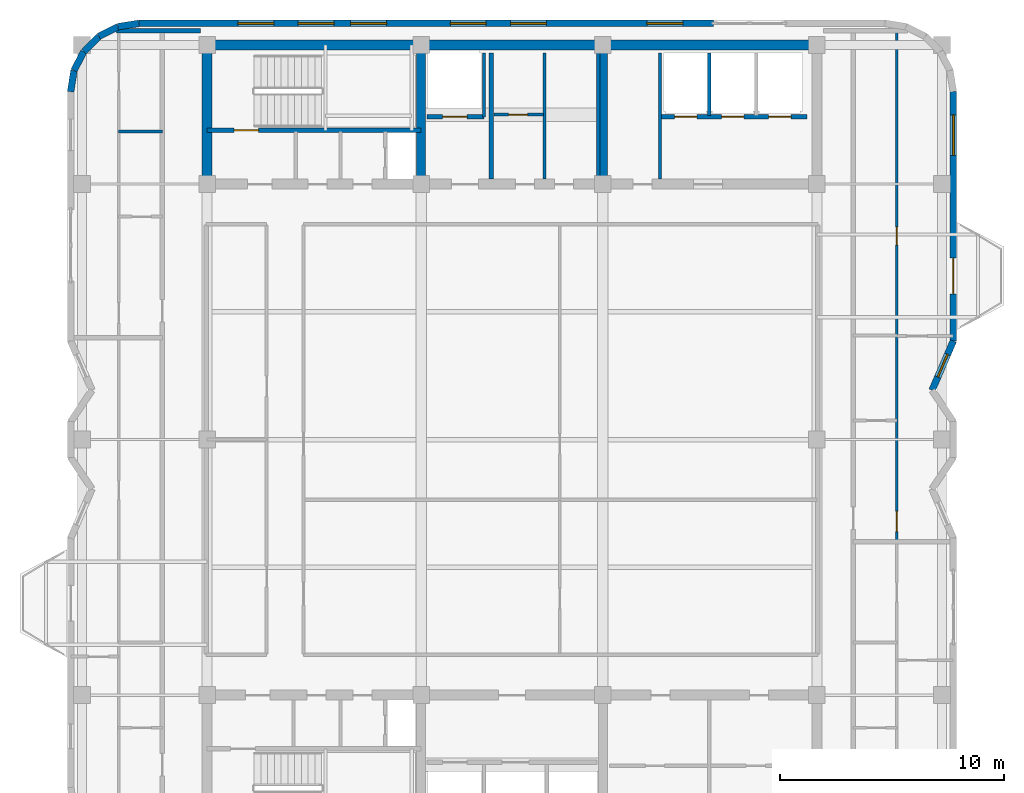
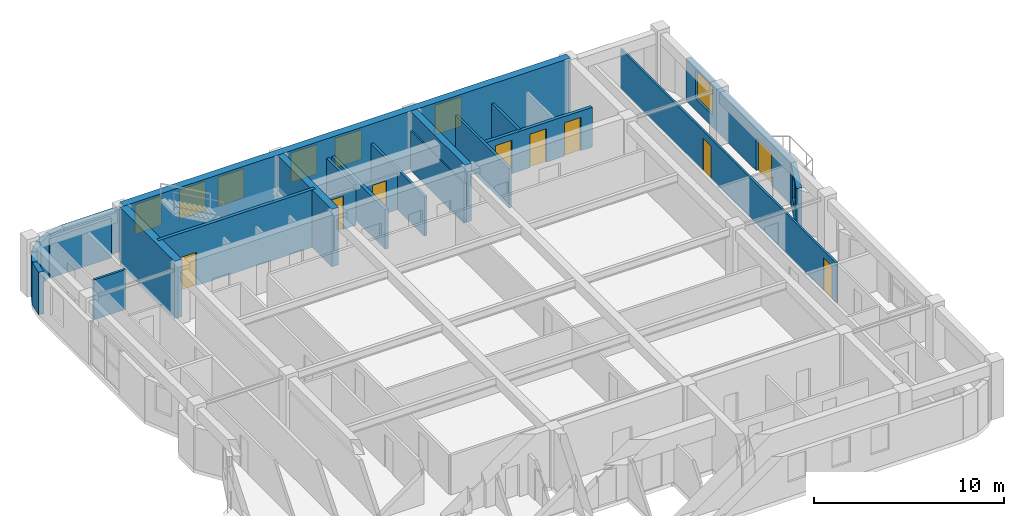
# One storey, part 8 of 11: 25 walls, 9 doors, 8 windows, 17 openings.
"""IFC4 building model written with IfcOpenShell, lengths in metres."""

import ifcopenshell
import ifcopenshell.guid

model = None  # the IFC model being written
_history = None  # IfcOwnerHistory: only IFC2X3 demands one
_inside = {}  # id of a spatial element -> (the spatial element, [elements in it])
_under = {}  # id of a project, library or spatial element -> (it, [spatial elements below it])
_declared = {}  # id of a project -> (the project, [libraries it declares])
_typed = {}  # id of a type object -> (the type object, [elements of that type])
_made_of = {}  # id of a material, layer set ... -> (it, [elements and type objects made of it])


def new_model(schema):
    """Start an empty IFC model of exactly this schema.

    Asked for "IFC4X3", IfcOpenShell would pick the latest addendum, in which some entities
    have other attributes; the version numbers below select the first issue.
    IFC2X3 requires an IfcOwnerHistory on every rooted entity: one is made here for all.
    """
    global model, _history
    if schema == "IFC4X3":
        model = ifcopenshell.file(schema_version=(4, 3, 0, 0))
    else:
        model = ifcopenshell.file(schema=schema)
    _inside.clear()
    _under.clear()
    _declared.clear()
    _typed.clear()
    _made_of.clear()
    _history = None
    if model.schema == "IFC2X3":
        org = make("IfcOrganization", Name="unknown")
        user = make(
            "IfcPersonAndOrganization",
            ThePerson=make("IfcPerson", FamilyName="unknown"),
            TheOrganization=org,
        )
        app = make(
            "IfcApplication",
            ApplicationDeveloper=org,
            Version="unknown",
            ApplicationFullName="unknown",
            ApplicationIdentifier="unknown",
        )
        _history = make(
            "IfcOwnerHistory",
            OwningUser=user,
            OwningApplication=app,
            ChangeAction="ADDED",
            CreationDate=0,
        )
    return model


def make(cls, **values):
    """One entity of the class cls with the attributes given. An attribute that is None is left unset."""
    return model.create_entity(
        cls, **{name: value for name, value in values.items() if value is not None}
    )


def rooted(cls, **values):
    """An entity with a GlobalId (a new one), such as an element, a storey or a relation."""
    return make(cls, GlobalId=ifcopenshell.guid.new(), OwnerHistory=_history, **values)


def si_unit(unit_type, name, prefix=None):
    """IfcSIUnit, for example si_unit("LENGTHUNIT", "METRE", prefix="MILLI")."""
    return make("IfcSIUnit", UnitType=unit_type, Prefix=prefix, Name=name)


def assignment(units):
    """IfcUnitAssignment: the units of a project."""
    return None if units is None else make("IfcUnitAssignment", Units=units)


def point(xyz):
    """IfcCartesianPoint."""
    return None if xyz is None else make("IfcCartesianPoint", Coordinates=xyz)


def direction(xyz):
    """IfcDirection."""
    return None if xyz is None else make("IfcDirection", DirectionRatios=xyz)


def frame(location, z_axis=None, x_axis=None):
    """IfcAxis2Placement3D, a coordinate frame: its origin and axes. An axis left out is left unset."""
    return make(
        "IfcAxis2Placement3D",
        Location=point(location),
        Axis=direction(z_axis),
        RefDirection=direction(x_axis),
    )


def frame_2d(location, x_axis=None):
    """IfcAxis2Placement2D, a coordinate frame in the plane: its origin and x axis."""
    return make(
        "IfcAxis2Placement2D", Location=point(location), RefDirection=direction(x_axis)
    )


def origin():
    """The frame at (0, 0, 0) with its axes left unset."""
    return frame((0.0, 0.0, 0.0))


def place(relative_to, where):
    """IfcLocalPlacement: puts the frame where relative to a parent placement (None: the world)."""
    return make(
        "IfcLocalPlacement", PlacementRelTo=relative_to, RelativePlacement=where
    )


def context(
    kind, dimensions, precision=None, world=None, true_north=None, identifier=None
):
    """IfcGeometricRepresentationContext, for example the 3D "Model" context."""
    return make(
        "IfcGeometricRepresentationContext",
        ContextIdentifier=identifier,
        ContextType=kind,
        CoordinateSpaceDimension=dimensions,
        Precision=precision,
        WorldCoordinateSystem=world,
        TrueNorth=true_north,
    )


def subcontext(parent, identifier, kind, view, scale=None):
    """IfcGeometricRepresentationSubContext, for example "Body" below "Model"."""
    return make(
        "IfcGeometricRepresentationSubContext",
        ContextIdentifier=identifier,
        ContextType=kind,
        ParentContext=parent,
        TargetScale=scale,
        TargetView=view,
    )


def project(units=None, contexts=None):
    """IfcProject with its units and contexts."""
    return rooted(
        "IfcProject",
        Name="project",
        RepresentationContexts=contexts,
        UnitsInContext=assignment(units),
    )


def spatial(cls, under=None, at=None, **own):
    """A site, building, storey or space (cls), placed at a placement, below another one or the project."""
    s = rooted(cls, ObjectPlacement=at, **own)
    if under is not None:
        _under.setdefault(under.id(), (under, []))[1].append(s)
    return s


def profile(cls, at=None, kind="AREA", **sizes):
    """A parametric profile (cls). Its sizes go by their IFC names, for example OverallWidth=200.0."""
    return make(cls, ProfileType=kind, Position=at, **sizes)


def rectangle(**sizes):
    """IfcRectangleProfileDef."""
    return profile("IfcRectangleProfileDef", **sizes)


def extrude(swept, where, along, depth):
    """IfcExtrudedAreaSolid: the profile swept, set in the frame where, extruded along a direction by depth."""
    return make(
        "IfcExtrudedAreaSolid",
        SweptArea=swept,
        Position=where,
        ExtrudedDirection=direction(along),
        Depth=depth,
    )


def shape(context_of_items, identifier, shape_type, items):
    """IfcShapeRepresentation: the items that make up one representation, for example the "Body"."""
    return make(
        "IfcShapeRepresentation",
        ContextOfItems=context_of_items,
        RepresentationIdentifier=identifier,
        RepresentationType=shape_type,
        Items=items,
    )


def material(Name=None, Category=None):
    """IfcMaterial."""
    return make("IfcMaterial", Name=Name, Category=Category)


def layer(
    of_material, thickness, ventilated=None, Name=None, Category=None, Priority=None
):
    """IfcMaterialLayer: one layer of a wall or slab, of a material (None: an air gap)."""
    return make(
        "IfcMaterialLayer",
        Material=of_material,
        LayerThickness=thickness,
        IsVentilated=ventilated,
        Name=Name,
        Category=Category,
        Priority=Priority,
    )


def layer_set(layers, Name=None):
    """IfcMaterialLayerSet."""
    return make("IfcMaterialLayerSet", MaterialLayers=layers, LayerSetName=Name)


def made_of(thing, what):
    """Note that an element or type object is made of a material, layer set ...; save() writes the relation."""
    if what is not None:
        _made_of.setdefault(what.id(), (what, []))[1].append(thing)
    return thing


def type_object(cls, material=None, **own):
    """A type object (cls), such as IfcWallType, which elements share."""
    return made_of(rooted(cls, **own), material)


def element(
    cls,
    number,
    at=None,
    inside=None,
    cuts=None,
    type_object=None,
    material=None,
    context=None,
    identifier="Body",
    shape_type=None,
    held_by="IfcProductDefinitionShape",
    body=None,
    shapes=None,
    **own,
):
    """One element of the class cls, such as IfcWall. Its Tag is "e" and its number.

    at: its placement. inside: the storey or other place that contains it. cuts: it is an
    opening in that element (IfcRelVoidsElement). A single representation is given by context,
    identifier, shape_type and body (its items); several are given by shapes. held_by: the class
    of the entity that holds the representations. save() writes the other relations.
    """
    e = rooted(cls, Tag="e%d" % number, ObjectPlacement=at, **own)
    if body is not None:
        shapes = [shape(context, identifier, shape_type, body)]
    if shapes is not None:
        e.Representation = make(held_by, Representations=shapes)
    if inside is not None:
        _inside.setdefault(inside.id(), (inside, []))[1].append(e)
    if cuts is not None:
        rooted(
            "IfcRelVoidsElement", RelatingBuildingElement=cuts, RelatedOpeningElement=e
        )
    if type_object is not None:
        _typed.setdefault(type_object.id(), (type_object, []))[1].append(e)
    return made_of(e, material)


def fill(opening, filler):
    """IfcRelFillsElement: the door or window that sits in an opening."""
    return rooted(
        "IfcRelFillsElement",
        RelatingOpeningElement=opening,
        RelatedBuildingElement=filler,
    )


def aggregate(whole, parts):
    """IfcRelAggregates: a whole, such as a stair, and the parts it consists of."""
    return rooted("IfcRelAggregates", RelatingObject=whole, RelatedObjects=parts)


def save(model, path):
    """Write the relations noted so far, then the file.

    IfcRelAggregates (storeys below a building ...), IfcRelContainedInSpatialStructure (elements
    in a storey), IfcRelDefinesByType, IfcRelAssociatesMaterial and IfcRelDeclares: one each for
    every whole, place, type object, material and project.
    """
    for whole, parts in _under.values():
        aggregate(whole, parts)
    for where, things in _inside.values():
        rooted(
            "IfcRelContainedInSpatialStructure",
            RelatedElements=things,
            RelatingStructure=where,
        )
    for kind, things in _typed.values():
        rooted("IfcRelDefinesByType", RelatedObjects=things, RelatingType=kind)
    for what, things in _made_of.values():
        rooted("IfcRelAssociatesMaterial", RelatedObjects=things, RelatingMaterial=what)
    for by, libraries in _declared.values():
        rooted("IfcRelDeclares", RelatingContext=by, RelatedDefinitions=libraries)
    model.write(path)


model = new_model("IFC4")

# Units and contexts
model_context = context("Model", 3, precision=1e-05, world=origin(), true_north=direction((0.0, 1.0)))
body_context = subcontext(model_context, "Body", "Model", "MODEL_VIEW")
ifc_project = project(units=[si_unit("LENGTHUNIT", "METRE"), si_unit("AREAUNIT", "SQUARE_METRE"), si_unit("VOLUMEUNIT", "CUBIC_METRE"), si_unit("PLANEANGLEUNIT", "RADIAN"), si_unit("MASSUNIT", "GRAM", prefix="KILO")], contexts=[model_context])

# Site, building, storey
site_placement = place(None, origin())
site = spatial("IfcSite", under=ifc_project, at=site_placement, CompositionType="ELEMENT")
building_placement = place(site_placement, origin())
building = spatial("IfcBuilding", under=site, at=building_placement, Name="Svetorya Sky Lyceum", CompositionType="ELEMENT")
storey_placement = place(building_placement, frame((0.0, 0.0, 289.800048828125)))
storey = spatial("IfcBuildingStorey", under=building, at=storey_placement, Name="L73", CompositionType="ELEMENT", Elevation=289.800048828125)

# Walls
ifc_material_1 = material(Name="Concrete C40/50", Category="concrete")
ifc_layer_1 = layer(ifc_material_1, 0.39990234375)
ifc_layer_set_1 = layer_set([ifc_layer_1], Name="Concrete C40/50")
wall_type_1 = type_object("IfcWallType", Name="WL-CORE-400", PredefinedType="SHEAR", material=ifc_layer_set_1)
for number, where, z_axis, x_axis, name in (
    (1, (35.14990234375, 39.824951171875, 0.0), (0.0, 0.0, 1.0), (0.0, 1.0, 0.0), "L73 NC Internal Shear Web WEB1"),
    (2, (43.25, 39.824951171875, 0.0), (0.0, 0.0, 1.0), (0.0, 1.0, 0.0), "L73 NC Internal Shear Web WEB2"),
):
    element("IfcWall", number, at=place(storey_placement, frame(where, z_axis=z_axis, x_axis=x_axis)), inside=storey, type_object=wall_type_1, Name=name, PredefinedType="SHEAR", context=body_context, shape_type="SweptSolid", body=[
        extrude(rectangle(XDim=5.75, YDim=0.39990234375, at=frame_2d((2.875, 0.0))), origin(), (0.0, 0.0, 1.0), 3.699951171875),
    ])
ifc_material_2 = material(Name="Concrete C50/60", Category="concrete")
ifc_layer_2 = layer(ifc_material_2, 0.449951171875)
ifc_layer_set_2 = layer_set([ifc_layer_2], Name="Concrete C50/60")
wall_type_2 = type_object("IfcWallType", Name="WL-CORE-450", PredefinedType="SHEAR", material=ifc_layer_set_2)
wall_1_placement = place(storey_placement, frame((25.60009765625, 45.800048828125, 0.0), z_axis=(0.0, 0.0, 1.0), x_axis=(1.0, 0.0, 0.0)))
element("IfcWall", 3, at=wall_1_placement, inside=storey, type_object=wall_type_2, Name="L73 NC Outer Core Shear Wall", PredefinedType="SHEAR", context=body_context, shape_type="SweptSolid", body=[
    extrude(rectangle(XDim=27.199951171875, YDim=0.449951171875, at=frame_2d((13.60009765625, 0.0))), origin(), (0.0, 0.0, 1.0), 3.699951171875),
])
wall_2_placement = place(storey_placement, frame((25.60009765625, 39.824951171875, 0.0), z_axis=(0.0, 0.0, 1.0), x_axis=(0.0, 1.0, 0.0)))
element("IfcWall", 4, at=wall_2_placement, inside=storey, type_object=wall_type_2, Name="L73 NC West Core Shear Wall", PredefinedType="SHEAR", context=body_context, shape_type="SweptSolid", body=[
    extrude(rectangle(XDim=5.75, YDim=0.449951171875, at=frame_2d((2.875, 0.0))), origin(), (0.0, 0.0, 1.0), 3.699951171875),
])

# Wall, opening, window
ifc_material_3 = material(Name="Putilovo limestone rainscreen on autoclaved cellular masonry", Category="masonry")
ifc_layer_3 = layer(ifc_material_3, 0.300048828125)
ifc_layer_set_3 = layer_set([ifc_layer_3], Name="Putilovo limestone rainscreen on autoclaved cellular masonry")
wall_type_3 = type_object("IfcWallType", Name="WL-EXT-300", PredefinedType="SOLIDWALL", material=ifc_layer_set_3)
wall_3_placement = place(storey_placement, frame((57.93994140625, 30.39990234375, 0.0), z_axis=(0.0, 0.0, 1.0), x_axis=(0.396389181543, 0.918082576218, 0.0)))
wall_3 = element("IfcWall", 5, at=wall_3_placement, inside=storey, type_object=wall_type_3, Name="L73 Limestone Exterior Wall 17M", PredefinedType="SOLIDWALL", context=body_context, shape_type="SweptSolid", body=[
    extrude(rectangle(XDim=2.396484375, YDim=0.300048828125, at=frame_2d((1.1982421875, 0.0))), origin(), (0.0, 0.0, 1.0), 2.72998046875),
])
opening_1_placement = place(wall_3_placement, frame((0.648193359375, 0.0, 0.919921875)))
opening_1 = element("IfcOpeningElement", 6, at=opening_1_placement, cuts=wall_3, Name="Opening W-R3", PredefinedType="OPENING", context=body_context, shape_type="SweptSolid", body=[
    extrude(rectangle(XDim=1.10009765625, YDim=1.64990234375, at=frame_2d((0.550048828125, 0.824951171875))), frame((0.0, 0.159912109375, 0.0), z_axis=(0.0, -1.0, 0.0), x_axis=(1.0, 0.0, 0.0)), (0.0, 0.0, 1.0), 0.320068359375),
])
ifc_material_4 = material(Name="Thermally broken aluminium frame with triple low-E glazing", Category="aluminium")
window_type_1 = type_object("IfcWindowType", Name="WN-RES-110", PartitioningType="SINGLE_PANEL", PredefinedType="WINDOW", material=ifc_material_4)
window_1_placement = place(opening_1_placement, origin())
window_1 = element("IfcWindow", 7, at=window_1_placement, inside=storey, type_object=window_type_1, Name="L73 Facade Window W-R3.17M.1", OverallHeight=1.64990234375, OverallWidth=1.10009765625, PartitioningType="SINGLE_PANEL", PredefinedType="WINDOW", context=body_context, shape_type="SweptSolid", body=[
    extrude(rectangle(XDim=1.10009765625, YDim=1.64990234375, at=frame_2d((0.550048828125, 0.824951171875))), frame((0.0, 0.030029296875, 0.0), z_axis=(0.0, -1.0, 0.0), x_axis=(1.0, 0.0, 0.0)), (0.0, 0.0, 1.0), 0.06005859375),
])
fill(opening_1, window_1)

# Wall, openings, door, window
wall_4_placement = place(storey_placement, frame((58.889892578125, 32.60009765625, 0.0), z_axis=(0.0, 0.0, 1.0), x_axis=(0.0, 1.0, 0.0)))
wall_4 = element("IfcWall", 8, at=wall_4_placement, inside=storey, type_object=wall_type_3, Name="L73 Limestone Exterior Wall 18M", PredefinedType="SOLIDWALL", context=body_context, shape_type="SweptSolid", body=[
    extrude(rectangle(XDim=11.119873046875, YDim=0.300048828125, at=frame_2d((5.56005859375, 0.0))), origin(), (0.0, 0.0, 1.0), 2.72998046875),
])
opening_2_placement = place(wall_4_placement, frame((2.10009765625, 0.0, 0.0)))
opening_2 = element("IfcOpeningElement", 9, at=opening_2_placement, cuts=wall_4, Name="Opening D-BL1", PredefinedType="OPENING", context=body_context, shape_type="SweptSolid", body=[
    extrude(rectangle(XDim=1.60009765625, YDim=2.10009765625, at=frame_2d((0.800048828125, 1.050048828125))), frame((0.0, 0.159912109375, 0.0), z_axis=(0.0, -1.0, 0.0), x_axis=(1.0, 0.0, 0.0)), (0.0, 0.0, 1.0), 0.320068359375),
])
opening_3_placement = place(wall_4_placement, frame((8.283203125, 0.0, 0.760009765625)))
opening_3 = element("IfcOpeningElement", 10, at=opening_3_placement, cuts=wall_4, Name="Opening W-R1", PredefinedType="OPENING", context=body_context, shape_type="SweptSolid", body=[
    extrude(rectangle(XDim=1.800048828125, YDim=1.85009765625, at=frame_2d((0.89990234375, 0.925048828125))), frame((0.0, 0.159912109375, 0.0), z_axis=(0.0, -1.0, 0.0), x_axis=(1.0, 0.0, 0.0)), (0.0, 0.0, 1.0), 0.320068359375),
])
ifc_material_5 = material(Name="Insulated glazed aluminium balcony door", Category="aluminium")
door_type_1 = type_object("IfcDoorType", Name="DR-BAL-1600", OperationType="DOUBLE_DOOR_SINGLE_SWING", PredefinedType="DOOR", material=ifc_material_5)
door_1_placement = place(opening_2_placement, origin())
door_1 = element("IfcDoor", 11, at=door_1_placement, inside=storey, type_object=door_type_1, Name="L73 Balcony BAL-E1 Door", OperationType="DOUBLE_DOOR_SINGLE_SWING", OverallHeight=2.10009765625, OverallWidth=1.60009765625, PredefinedType="DOOR", context=body_context, shape_type="SweptSolid", body=[
    extrude(rectangle(XDim=1.60009765625, YDim=2.10009765625, at=frame_2d((0.800048828125, 1.050048828125))), frame((0.0, 0.02490234375, 0.0), z_axis=(0.0, -1.0, 0.0), x_axis=(1.0, 0.0, 0.0)), (0.0, 0.0, 1.0), 0.050048828125),
])
fill(opening_2, door_1)
window_type_2 = type_object("IfcWindowType", Name="WN-RES-180", PartitioningType="DOUBLE_PANEL_VERTICAL", PredefinedType="WINDOW", material=ifc_material_4)
window_2_placement = place(opening_3_placement, origin())
window_2 = element("IfcWindow", 12, at=window_2_placement, inside=storey, type_object=window_type_2, Name="L73 Facade Window W-R1.18M.1", OverallHeight=1.85009765625, OverallWidth=1.800048828125, PartitioningType="SINGLE_PANEL", PredefinedType="WINDOW", context=body_context, shape_type="SweptSolid", body=[
    extrude(rectangle(XDim=1.800048828125, YDim=1.85009765625, at=frame_2d((0.89990234375, 0.925048828125))), frame((0.0, 0.030029296875, 0.0), z_axis=(0.0, -1.0, 0.0), x_axis=(1.0, 0.0, 0.0)), (0.0, 0.0, 1.0), 0.06005859375),
])
fill(opening_3, window_2)

# Wall, openings, windows
wall_5_placement = place(storey_placement, frame((48.18994140625, 46.77001953125, 0.0), z_axis=(0.0, 0.0, 1.0), x_axis=(-1.0, 0.0, 0.0)))
wall_5 = element("IfcWall", 13, at=wall_5_placement, inside=storey, type_object=wall_type_3, Name="L73 Limestone Exterior Wall 24B", PredefinedType="SOLIDWALL", context=body_context, shape_type="SweptSolid", body=[
    extrude(rectangle(XDim=25.6298828125, YDim=0.300048828125, at=frame_2d((12.81494140625, 0.0))), origin(), (0.0, 0.0, 1.0), 2.72998046875),
])
opening_4_placement = place(wall_5_placement, frame((1.37060546875, 0.0, 0.7099609375)))
opening_4 = element("IfcOpeningElement", 14, at=opening_4_placement, cuts=wall_5, Name="Opening W-R4", PredefinedType="OPENING", context=body_context, shape_type="SweptSolid", body=[
    extrude(rectangle(XDim=1.60009765625, YDim=1.89990234375, at=frame_2d((0.800048828125, 0.949951171875))), frame((0.0, 0.159912109375, 0.0), z_axis=(0.0, -1.0, 0.0), x_axis=(1.0, 0.0, 0.0)), (0.0, 0.0, 1.0), 0.320068359375),
])
opening_5_placement = place(wall_5_placement, frame((7.453125, 0.0, 0.7099609375)))
opening_5 = element("IfcOpeningElement", 15, at=opening_5_placement, cuts=wall_5, Name="Opening W-R4", PredefinedType="OPENING", context=body_context, shape_type="SweptSolid", body=[
    extrude(rectangle(XDim=1.60009765625, YDim=1.89990234375, at=frame_2d((0.800048828125, 0.949951171875))), frame((0.0, 0.159912109375, 0.0), z_axis=(0.0, -1.0, 0.0), x_axis=(1.0, 0.0, 0.0)), (0.0, 0.0, 1.0), 0.320068359375),
])
opening_6_placement = place(wall_5_placement, frame((10.144287109375, 0.0, 0.7099609375)))
opening_6 = element("IfcOpeningElement", 16, at=opening_6_placement, cuts=wall_5, Name="Opening W-R4", PredefinedType="OPENING", context=body_context, shape_type="SweptSolid", body=[
    extrude(rectangle(XDim=1.60009765625, YDim=1.89990234375, at=frame_2d((0.800048828125, 0.949951171875))), frame((0.0, 0.159912109375, 0.0), z_axis=(0.0, -1.0, 0.0), x_axis=(1.0, 0.0, 0.0)), (0.0, 0.0, 1.0), 0.320068359375),
])
opening_7_placement = place(wall_5_placement, frame((14.585693359375, 0.0, 0.7099609375)))
opening_7 = element("IfcOpeningElement", 17, at=opening_7_placement, cuts=wall_5, Name="Opening W-R4", PredefinedType="OPENING", context=body_context, shape_type="SweptSolid", body=[
    extrude(rectangle(XDim=1.60009765625, YDim=1.89990234375, at=frame_2d((0.800048828125, 0.949951171875))), frame((0.0, 0.159912109375, 0.0), z_axis=(0.0, -1.0, 0.0), x_axis=(1.0, 0.0, 0.0)), (0.0, 0.0, 1.0), 0.320068359375),
])
opening_8_placement = place(wall_5_placement, frame((16.927001953125, 0.0, 0.7099609375)))
opening_8 = element("IfcOpeningElement", 18, at=opening_8_placement, cuts=wall_5, Name="Opening W-R4", PredefinedType="OPENING", context=body_context, shape_type="SweptSolid", body=[
    extrude(rectangle(XDim=1.60009765625, YDim=1.89990234375, at=frame_2d((0.800048828125, 0.949951171875))), frame((0.0, 0.159912109375, 0.0), z_axis=(0.0, -1.0, 0.0), x_axis=(1.0, 0.0, 0.0)), (0.0, 0.0, 1.0), 0.320068359375),
])
opening_9_placement = place(wall_5_placement, frame((19.6181640625, 0.0, 0.7099609375)))
opening_9 = element("IfcOpeningElement", 19, at=opening_9_placement, cuts=wall_5, Name="Opening W-R4", PredefinedType="OPENING", context=body_context, shape_type="SweptSolid", body=[
    extrude(rectangle(XDim=1.60009765625, YDim=1.89990234375, at=frame_2d((0.800048828125, 0.949951171875))), frame((0.0, 0.159912109375, 0.0), z_axis=(0.0, -1.0, 0.0), x_axis=(1.0, 0.0, 0.0)), (0.0, 0.0, 1.0), 0.320068359375),
])
window_type_3 = type_object("IfcWindowType", Name="WN-RES-160", PartitioningType="DOUBLE_PANEL_VERTICAL", PredefinedType="WINDOW", material=ifc_material_4)
window_3_placement = place(opening_4_placement, origin())
window_3 = element("IfcWindow", 20, at=window_3_placement, inside=storey, type_object=window_type_3, Name="L73 Facade Window W-R4.24B.1", OverallHeight=1.89990234375, OverallWidth=1.60009765625, PartitioningType="SINGLE_PANEL", PredefinedType="WINDOW", context=body_context, shape_type="SweptSolid", body=[
    extrude(rectangle(XDim=1.60009765625, YDim=1.89990234375, at=frame_2d((0.800048828125, 0.949951171875))), frame((0.0, 0.030029296875, 0.0), z_axis=(0.0, -1.0, 0.0), x_axis=(1.0, 0.0, 0.0)), (0.0, 0.0, 1.0), 0.06005859375),
])
fill(opening_4, window_3)
window_4_placement = place(opening_5_placement, origin())
window_4 = element("IfcWindow", 21, at=window_4_placement, inside=storey, type_object=window_type_3, Name="L73 Facade Window W-R4.24B.2", OverallHeight=1.89990234375, OverallWidth=1.60009765625, PartitioningType="SINGLE_PANEL", PredefinedType="WINDOW", context=body_context, shape_type="SweptSolid", body=[
    extrude(rectangle(XDim=1.60009765625, YDim=1.89990234375, at=frame_2d((0.800048828125, 0.949951171875))), frame((0.0, 0.030029296875, 0.0), z_axis=(0.0, -1.0, 0.0), x_axis=(1.0, 0.0, 0.0)), (0.0, 0.0, 1.0), 0.06005859375),
])
fill(opening_5, window_4)
window_5_placement = place(opening_6_placement, origin())
window_5 = element("IfcWindow", 22, at=window_5_placement, inside=storey, type_object=window_type_3, Name="L73 Facade Window W-R4.24B.3", OverallHeight=1.89990234375, OverallWidth=1.60009765625, PartitioningType="SINGLE_PANEL", PredefinedType="WINDOW", context=body_context, shape_type="SweptSolid", body=[
    extrude(rectangle(XDim=1.60009765625, YDim=1.89990234375, at=frame_2d((0.800048828125, 0.949951171875))), frame((0.0, 0.030029296875, 0.0), z_axis=(0.0, -1.0, 0.0), x_axis=(1.0, 0.0, 0.0)), (0.0, 0.0, 1.0), 0.06005859375),
])
fill(opening_6, window_5)
window_6_placement = place(opening_7_placement, origin())
window_6 = element("IfcWindow", 23, at=window_6_placement, inside=storey, type_object=window_type_3, Name="L73 Facade Window W-R4.24B.4", OverallHeight=1.89990234375, OverallWidth=1.60009765625, PartitioningType="SINGLE_PANEL", PredefinedType="WINDOW", context=body_context, shape_type="SweptSolid", body=[
    extrude(rectangle(XDim=1.60009765625, YDim=1.89990234375, at=frame_2d((0.800048828125, 0.949951171875))), frame((0.0, 0.030029296875, 0.0), z_axis=(0.0, -1.0, 0.0), x_axis=(1.0, 0.0, 0.0)), (0.0, 0.0, 1.0), 0.06005859375),
])
fill(opening_7, window_6)
window_7_placement = place(opening_8_placement, origin())
window_7 = element("IfcWindow", 24, at=window_7_placement, inside=storey, type_object=window_type_3, Name="L73 Facade Window W-R4.24B.5", OverallHeight=1.89990234375, OverallWidth=1.60009765625, PartitioningType="SINGLE_PANEL", PredefinedType="WINDOW", context=body_context, shape_type="SweptSolid", body=[
    extrude(rectangle(XDim=1.60009765625, YDim=1.89990234375, at=frame_2d((0.800048828125, 0.949951171875))), frame((0.0, 0.030029296875, 0.0), z_axis=(0.0, -1.0, 0.0), x_axis=(1.0, 0.0, 0.0)), (0.0, 0.0, 1.0), 0.06005859375),
])
fill(opening_8, window_7)
window_8_placement = place(opening_9_placement, origin())
window_8 = element("IfcWindow", 25, at=window_8_placement, inside=storey, type_object=window_type_3, Name="L73 Facade Window W-R4.24B.6", OverallHeight=1.89990234375, OverallWidth=1.60009765625, PartitioningType="SINGLE_PANEL", PredefinedType="WINDOW", context=body_context, shape_type="SweptSolid", body=[
    extrude(rectangle(XDim=1.60009765625, YDim=1.89990234375, at=frame_2d((0.800048828125, 0.949951171875))), frame((0.0, 0.030029296875, 0.0), z_axis=(0.0, -1.0, 0.0), x_axis=(1.0, 0.0, 0.0)), (0.0, 0.0, 1.0), 0.06005859375),
])
fill(opening_9, window_8)

# Walls
wall_6_placement = place(storey_placement, frame((22.56005859375, 46.77001953125, 0.0), z_axis=(0.0, 0.0, 1.0), x_axis=(-0.987669453596, -0.156553666304, 0.0)))
element("IfcWall", 26, at=wall_6_placement, inside=storey, type_object=wall_type_3, Name="L73 Limestone Exterior Wall 25M", PredefinedType="SOLIDWALL", context=body_context, shape_type="SweptSolid", body=[
    extrude(rectangle(XDim=0.954345703125, YDim=0.300048828125, at=frame_2d((0.47705078125, 0.0))), origin(), (0.0, 0.0, 1.0), 2.72998046875),
])
wall_7_placement = place(storey_placement, frame((21.617431640625, 46.62060546875, 0.0), z_axis=(0.0, 0.0, 1.0), x_axis=(-0.891023873617, -0.45395644796, 0.0)))
element("IfcWall", 27, at=wall_7_placement, inside=storey, type_object=wall_type_3, Name="L73 Limestone Exterior Wall 26M", PredefinedType="SOLIDWALL", context=body_context, shape_type="SweptSolid", body=[
    extrude(rectangle(XDim=0.9541015625, YDim=0.300048828125, at=frame_2d((0.47705078125, 0.0))), origin(), (0.0, 0.0, 1.0), 2.72998046875),
])
wall_8_placement = place(storey_placement, frame((20.767333984375, 46.1875, 0.0), z_axis=(0.0, 0.0, 1.0), x_axis=(-0.707106781187, -0.707106781187, 0.0)))
element("IfcWall", 28, at=wall_8_placement, inside=storey, type_object=wall_type_3, Name="L73 Limestone Exterior Wall 27M", PredefinedType="SOLIDWALL", context=body_context, shape_type="SweptSolid", body=[
    extrude(rectangle(XDim=0.954345703125, YDim=0.300048828125, at=frame_2d((0.47705078125, 0.0))), origin(), (0.0, 0.0, 1.0), 2.72998046875),
])
wall_9_placement = place(storey_placement, frame((20.092529296875, 45.5126953125, 0.0), z_axis=(0.0, 0.0, 1.0), x_axis=(-0.454159573051, -0.890920356825, 0.0)))
element("IfcWall", 29, at=wall_9_placement, inside=storey, type_object=wall_type_3, Name="L73 Limestone Exterior Wall 28M", PredefinedType="SOLIDWALL", context=body_context, shape_type="SweptSolid", body=[
    extrude(rectangle(XDim=0.9541015625, YDim=0.300048828125, at=frame_2d((0.47705078125, 0.0))), origin(), (0.0, 0.0, 1.0), 2.72998046875),
])
wall_10_placement = place(storey_placement, frame((19.6591796875, 44.66259765625, 0.0), z_axis=(0.0, 0.0, 1.0), x_axis=(-0.156304114255, -0.987708977314, 0.0)))
element("IfcWall", 30, at=wall_10_placement, inside=storey, type_object=wall_type_3, Name="L73 Limestone Exterior Wall 29M", PredefinedType="SOLIDWALL", context=body_context, shape_type="SweptSolid", body=[
    extrude(rectangle(XDim=0.954345703125, YDim=0.300048828125, at=frame_2d((0.47705078125, 0.0))), origin(), (0.0, 0.0, 1.0), 2.72998046875),
])

# Wall, opening, door
ifc_material_6 = material(Name="Twin-stud galvanized framing with double fireboard", Category="gypsum")
ifc_layer_4 = layer(ifc_material_6, 0.1201171875)
ifc_layer_set_4 = layer_set([ifc_layer_4], Name="Twin-stud galvanized framing with double fireboard")
wall_type_4 = type_object("IfcWallType", Name="WL-PART-120", PredefinedType="PARTITIONING", material=ifc_layer_set_4)
wall_11_placement = place(storey_placement, frame((38.39990234375, 42.699951171875, 0.0), z_axis=(0.0, 0.0, 1.0), x_axis=(1.0, 0.0, 0.0)))
wall_11 = element("IfcWall", 31, at=wall_11_placement, inside=storey, type_object=wall_type_4, Name="L73 Interior Partition NC-FPM-H", PredefinedType="PARTITIONING", context=body_context, shape_type="SweptSolid", body=[
    extrude(rectangle(XDim=2.2001953125, YDim=0.1201171875, at=frame_2d((1.10009765625, 0.0))), origin(), (0.0, 0.0, 1.0), 2.329833984375),
])
opening_10_placement = place(wall_11_placement, frame((0.64990234375, 0.0, 0.0)))
opening_10 = element("IfcOpeningElement", 32, at=opening_10_placement, cuts=wall_11, Name="Opening D-CWC1", PredefinedType="OPENING", context=body_context, shape_type="SweptSolid", body=[
    extrude(rectangle(XDim=0.85009765625, YDim=2.10009765625, at=frame_2d((0.425048828125, 1.050048828125))), frame((0.0, 0.070068359375, 0.0), z_axis=(0.0, -1.0, 0.0), x_axis=(1.0, 0.0, 0.0)), (0.0, 0.0, 1.0), 0.14013671875),
])
ifc_material_7 = material(Name="Fire-rated galvanized steel core service closet door", Category="steel")
door_type_2 = type_object("IfcDoorType", Name="DR-CWET-850", OperationType="SINGLE_SWING_LEFT", PredefinedType="DOOR", material=ifc_material_7)
door_2_placement = place(opening_10_placement, origin())
door_2 = element("IfcDoor", 33, at=door_2_placement, inside=storey, type_object=door_type_2, Name="L73 Rear IT Closet Door", OperationType="SINGLE_SWING_LEFT", OverallHeight=2.10009765625, OverallWidth=0.85009765625, PredefinedType="DOOR", context=body_context, shape_type="SweptSolid", body=[
    extrude(rectangle(XDim=0.85009765625, YDim=2.10009765625, at=frame_2d((0.425048828125, 1.050048828125))), frame((0.0, 0.02490234375, 0.0), z_axis=(0.0, -1.0, 0.0), x_axis=(1.0, 0.0, 0.0)), (0.0, 0.0, 1.0), 0.050048828125),
])
fill(opening_10, door_2)

# Wall, openings, doors
wall_12_placement = place(storey_placement, frame((56.3701171875, 23.68994140625, 0.0), z_axis=(0.0, 0.0, 1.0), x_axis=(0.0, 1.0, 0.0)))
wall_12 = element("IfcWall", 34, at=wall_12_placement, inside=storey, type_object=wall_type_4, Name="L73 Interior Partition E2-WV", PredefinedType="PARTITIONING", context=body_context, shape_type="SweptSolid", body=[
    extrude(rectangle(XDim=22.719970703125, YDim=0.1201171875, at=frame_2d((11.35986328125, 0.0))), origin(), (0.0, 0.0, 1.0), 2.56005859375),
])
opening_11_placement = place(wall_12_placement, frame((0.409912109375, 0.0, 0.0)))
opening_11 = element("IfcOpeningElement", 35, at=opening_11_placement, cuts=wall_12, Name="Opening D-RM1", PredefinedType="OPENING", context=body_context, shape_type="SweptSolid", body=[
    extrude(rectangle(XDim=0.89990234375, YDim=2.10009765625, at=frame_2d((0.449951171875, 1.050048828125))), frame((0.0, 0.070068359375, 0.0), z_axis=(0.0, -1.0, 0.0), x_axis=(1.0, 0.0, 0.0)), (0.0, 0.0, 1.0), 0.14013671875),
])
opening_12_placement = place(wall_12_placement, frame((13.18505859375, 0.0, 0.0)))
opening_12 = element("IfcOpeningElement", 36, at=opening_12_placement, cuts=wall_12, Name="Opening D-BT2", PredefinedType="OPENING", context=body_context, shape_type="SweptSolid", body=[
    extrude(rectangle(XDim=0.820068359375, YDim=2.080078125, at=frame_2d((0.41015625, 1.0400390625))), frame((0.0, 0.070068359375, 0.0), z_axis=(0.0, -1.0, 0.0), x_axis=(1.0, 0.0, 0.0)), (0.0, 0.0, 1.0), 0.14013671875),
])
ifc_material_8 = material(Name="Lacquered birch veneer internal door")
door_type_3 = type_object("IfcDoorType", Name="DR-INT-900", OperationType="SINGLE_SWING_LEFT", PredefinedType="DOOR", material=ifc_material_8)
door_3_placement = place(opening_11_placement, origin())
door_3 = element("IfcDoor", 37, at=door_3_placement, inside=storey, type_object=door_type_3, Name="Apartment E2 Living Door", OperationType="SINGLE_SWING_RIGHT", OverallHeight=2.10009765625, OverallWidth=0.89990234375, PredefinedType="DOOR", context=body_context, shape_type="SweptSolid", body=[
    extrude(rectangle(XDim=0.89990234375, YDim=2.10009765625, at=frame_2d((0.449951171875, 1.050048828125))), frame((0.0, 0.02490234375, 0.0), z_axis=(0.0, -1.0, 0.0), x_axis=(1.0, 0.0, 0.0)), (0.0, 0.0, 1.0), 0.050048828125),
])
fill(opening_11, door_3)
ifc_material_9 = material(Name="Compact moisture-resistant laminate closet door")
door_type_4 = type_object("IfcDoorType", Name="DR-WET-820", OperationType="SINGLE_SWING_LEFT", PredefinedType="DOOR", material=ifc_material_9)
door_4_placement = place(opening_12_placement, origin())
door_4 = element("IfcDoor", 38, at=door_4_placement, inside=storey, type_object=door_type_4, Name="Apartment E2 Study Door", OperationType="SINGLE_SWING_LEFT", OverallHeight=2.080078125, OverallWidth=0.820068359375, PredefinedType="DOOR", context=body_context, shape_type="SweptSolid", body=[
    extrude(rectangle(XDim=0.820068359375, YDim=2.080078125, at=frame_2d((0.41015625, 1.0400390625))), frame((0.0, 0.02490234375, 0.0), z_axis=(0.0, -1.0, 0.0), x_axis=(1.0, 0.0, 0.0)), (0.0, 0.0, 1.0), 0.050048828125),
])
fill(opening_12, door_4)

# Walls
ifc_material_10 = material(Name="Twin-stud galvanized framing with acoustic board", Category="gypsum")
ifc_layer_5 = layer(ifc_material_10, 0.135009765625)
ifc_layer_set_5 = layer_set([ifc_layer_5], Name="Twin-stud galvanized framing with acoustic board")
wall_type_5 = type_object("IfcWallType", Name="WL-PART-135", PredefinedType="PARTITIONING", material=ifc_layer_set_5)
wall_13_placement = place(storey_placement, frame((21.64990234375, 41.949951171875, 0.0), z_axis=(0.0, 0.0, 1.0), x_axis=(1.0, 0.0, 0.0)))
element("IfcWall", 39, at=wall_13_placement, inside=storey, type_object=wall_type_5, Name="L73 Interior Partition W2-WH2", PredefinedType="PARTITIONING", context=body_context, shape_type="SweptSolid", body=[
    extrude(rectangle(XDim=1.9501953125, YDim=0.135009765625, at=frame_2d((0.97509765625, 0.0))), origin(), (0.0, 0.0, 1.0), 2.56005859375),
])
ifc_material_11 = material(Name="Autoclaved cellular masonry blockwork with acoustic render", Category="masonry")
ifc_layer_6 = layer(ifc_material_11, 0.14990234375)
ifc_layer_set_6 = layer_set([ifc_layer_6], Name="Autoclaved cellular masonry blockwork with acoustic render")
wall_type_6 = type_object("IfcWallType", Name="WL-PART-150", PredefinedType="PARTITIONING", material=ifc_layer_set_6)
wall_14_placement = place(storey_placement, frame((37.949951171875, 42.60009765625, 0.0), z_axis=(0.0, 0.0, 1.0), x_axis=(0.0, 1.0, 0.0)))
element("IfcWall", 40, at=wall_14_placement, inside=storey, type_object=wall_type_6, Name="L73 Interior Partition NC-FL1SIDE", PredefinedType="PARTITIONING", context=body_context, shape_type="SweptSolid", body=[
    extrude(rectangle(XDim=2.849853515625, YDim=0.14990234375, at=frame_2d((1.4248046875, 0.0))), origin(), (0.0, 0.0, 1.0), 2.56005859375),
])
for number, where, z_axis, x_axis, name in (
    (41, (43.050048828125, 39.820068359375, 0.0), (0.0, 0.0, 1.0), (0.0, 1.0, 0.0), "L73 Interior Partition NC-FPM-END"),
    (42, (40.64990234375, 39.820068359375, 0.0), (0.0, 0.0, 1.0), (0.0, 1.0, 0.0), "L73 Interior Partition NC-FPM-V"),
    (43, (45.800048828125, 39.820068359375, 0.0), (0.0, 0.0, 1.0), (0.0, 1.0, 0.0), "L73 Interior Partition NC-PM3-FULL"),
):
    element("IfcWall", number, at=place(storey_placement, frame(where, z_axis=z_axis, x_axis=x_axis)), inside=storey, type_object=wall_type_6, Name=name, PredefinedType="PARTITIONING", context=body_context, shape_type="SweptSolid", body=[
        extrude(rectangle(XDim=5.6298828125, YDim=0.14990234375, at=frame_2d((2.81494140625, 0.0))), origin(), (0.0, 0.0, 1.0), 2.56005859375),
    ])
wall_15_placement = place(storey_placement, frame((48.0, 42.64990234375, 0.0), z_axis=(0.0, 0.0, 1.0), x_axis=(0.0, 1.0, 0.0)))
element("IfcWall", 44, at=wall_15_placement, inside=storey, type_object=wall_type_6, Name="L73 Interior Partition NC-PH-D1", PredefinedType="PARTITIONING", context=body_context, shape_type="SweptSolid", body=[
    extrude(rectangle(XDim=2.800048828125, YDim=0.14990234375, at=frame_2d((1.39990234375, 0.0))), origin(), (0.0, 0.0, 1.0), 2.56005859375),
])

# Wall, opening, door
ifc_material_12 = material(Name="Autoclaved cellular masonry blockwork with gypsum plaster", Category="masonry")
ifc_layer_7 = layer(ifc_material_12, 0.199951171875)
ifc_layer_set_7 = layer_set([ifc_layer_7], Name="Autoclaved cellular masonry blockwork with gypsum plaster")
wall_type_7 = type_object("IfcWallType", Name="WL-PART-200", PredefinedType="PARTITIONING", material=ifc_layer_set_7)
wall_16_placement = place(storey_placement, frame((37.949951171875, 42.60009765625, 0.0), z_axis=(0.0, 0.0, 1.0), x_axis=(-1.0, 0.0, 0.0)))
wall_16 = element("IfcWall", 45, at=wall_16_placement, inside=storey, type_object=wall_type_7, Name="L73 Interior Partition NC-FL1W", PredefinedType="PARTITIONING", context=body_context, shape_type="SweptSolid", body=[
    extrude(rectangle(XDim=2.550048828125, YDim=0.199951171875, at=frame_2d((1.27490234375, 0.0))), origin(), (0.0, 0.0, 1.0), 2.329833984375),
])
opening_13_placement = place(wall_16_placement, frame((0.75, 0.0, 0.0)))
opening_13 = element("IfcOpeningElement", 46, at=opening_13_placement, cuts=wall_16, Name="Opening LD-FL", PredefinedType="OPENING", context=body_context, shape_type="SweptSolid", body=[
    extrude(rectangle(XDim=1.10009765625, YDim=2.14990234375, at=frame_2d((0.550048828125, 1.074951171875))), frame((0.0, 0.10986328125, 0.0), z_axis=(0.0, -1.0, 0.0), x_axis=(1.0, 0.0, 0.0)), (0.0, 0.0, 1.0), 0.219970703125),
])
ifc_material_13 = material(Name="Fire-rated stainless AISI 304 firefighting lift landing door")
door_type_5 = type_object("IfcDoorType", Name="DR-LIFT-1100", OperationType="SLIDING_TO_LEFT", PredefinedType="DOOR", material=ifc_material_13)
door_5_placement = place(opening_13_placement, origin())
door_5 = element("IfcDoor", 47, at=door_5_placement, inside=storey, type_object=door_type_5, Name="L73 Firefighting Lift FL1 Landing Door", OperationType="SLIDING_TO_LEFT", OverallHeight=2.14990234375, OverallWidth=1.10009765625, PredefinedType="DOOR", context=body_context, shape_type="SweptSolid", body=[
    extrude(rectangle(XDim=1.10009765625, YDim=2.14990234375, at=frame_2d((0.550048828125, 1.074951171875))), frame((0.0, 0.02490234375, 0.0), z_axis=(0.0, -1.0, 0.0), x_axis=(1.0, 0.0, 0.0)), (0.0, 0.0, 1.0), 0.050048828125),
])
fill(opening_13, door_5)

# Wall
wall_17_placement = place(storey_placement, frame((38.280029296875, 39.820068359375, 0.0), z_axis=(0.0, 0.0, 1.0), x_axis=(0.0, 1.0, 0.0)))
element("IfcWall", 48, at=wall_17_placement, inside=storey, type_object=wall_type_7, Name="L73 Interior Partition NC-FFLDIV", PredefinedType="PARTITIONING", context=body_context, shape_type="SweptSolid", body=[
    extrude(rectangle(XDim=5.6298828125, YDim=0.199951171875, at=frame_2d((2.81494140625, 0.0))), origin(), (0.0, 0.0, 1.0), 2.56005859375),
])

# Wall, openings, doors
wall_18_placement = place(storey_placement, frame((52.35009765625, 42.60009765625, 0.0), z_axis=(0.0, 0.0, 1.0), x_axis=(-1.0, 0.0, 0.0)))
wall_18 = element("IfcWall", 49, at=wall_18_placement, inside=storey, type_object=wall_type_7, Name="L73 Interior Partition NC-PHEW", PredefinedType="PARTITIONING", context=body_context, shape_type="SweptSolid", body=[
    extrude(rectangle(XDim=6.5, YDim=0.199951171875, at=frame_2d((3.25, 0.0))), origin(), (0.0, 0.0, 1.0), 2.56005859375),
])
opening_14_placement = place(wall_18_placement, frame((4.89990234375, 0.0, 0.0)))
opening_14 = element("IfcOpeningElement", 50, at=opening_14_placement, cuts=wall_18, Name="Opening LD-P1", PredefinedType="OPENING", context=body_context, shape_type="SweptSolid", body=[
    extrude(rectangle(XDim=1.0, YDim=2.14990234375, at=frame_2d((0.5, 1.074951171875))), frame((0.0, 0.10986328125, 0.0), z_axis=(0.0, -1.0, 0.0), x_axis=(1.0, 0.0, 0.0)), (0.0, 0.0, 1.0), 0.219970703125),
])
opening_15_placement = place(wall_18_placement, frame((2.800048828125, 0.0, 0.0)))
opening_15 = element("IfcOpeningElement", 51, at=opening_15_placement, cuts=wall_18, Name="Opening LD-P1", PredefinedType="OPENING", context=body_context, shape_type="SweptSolid", body=[
    extrude(rectangle(XDim=1.0, YDim=2.14990234375, at=frame_2d((0.5, 1.074951171875))), frame((0.0, 0.10986328125, 0.0), z_axis=(0.0, -1.0, 0.0), x_axis=(1.0, 0.0, 0.0)), (0.0, 0.0, 1.0), 0.219970703125),
])
opening_16_placement = place(wall_18_placement, frame((0.699951171875, 0.0, 0.0)))
opening_16 = element("IfcOpeningElement", 52, at=opening_16_placement, cuts=wall_18, Name="Opening LD-P1", PredefinedType="OPENING", context=body_context, shape_type="SweptSolid", body=[
    extrude(rectangle(XDim=1.0, YDim=2.14990234375, at=frame_2d((0.5, 1.074951171875))), frame((0.0, 0.10986328125, 0.0), z_axis=(0.0, -1.0, 0.0), x_axis=(1.0, 0.0, 0.0)), (0.0, 0.0, 1.0), 0.219970703125),
])
ifc_material_14 = material(Name="Champagne-anodized stainless passenger lift landing door")
door_type_6 = type_object("IfcDoorType", Name="DR-LIFT-1000", OperationType="SLIDING_TO_LEFT", PredefinedType="DOOR", material=ifc_material_14)
door_6_placement = place(opening_14_placement, origin())
door_6 = element("IfcDoor", 53, at=door_6_placement, inside=storey, type_object=door_type_6, Name="L73 Passenger Lift PH1 Landing Door", OperationType="SLIDING_TO_LEFT", OverallHeight=2.14990234375, OverallWidth=1.0, PredefinedType="DOOR", context=body_context, shape_type="SweptSolid", body=[
    extrude(rectangle(XDim=1.0, YDim=2.14990234375, at=frame_2d((0.5, 1.074951171875))), frame((0.0, 0.02490234375, 0.0), z_axis=(0.0, -1.0, 0.0), x_axis=(1.0, 0.0, 0.0)), (0.0, 0.0, 1.0), 0.050048828125),
])
fill(opening_14, door_6)
door_7_placement = place(opening_15_placement, origin())
door_7 = element("IfcDoor", 54, at=door_7_placement, inside=storey, type_object=door_type_6, Name="L73 Passenger Lift PH2 Landing Door", OperationType="SLIDING_TO_LEFT", OverallHeight=2.14990234375, OverallWidth=1.0, PredefinedType="DOOR", context=body_context, shape_type="SweptSolid", body=[
    extrude(rectangle(XDim=1.0, YDim=2.14990234375, at=frame_2d((0.5, 1.074951171875))), frame((0.0, 0.02490234375, 0.0), z_axis=(0.0, -1.0, 0.0), x_axis=(1.0, 0.0, 0.0)), (0.0, 0.0, 1.0), 0.050048828125),
])
fill(opening_15, door_7)
door_8_placement = place(opening_16_placement, origin())
door_8 = element("IfcDoor", 55, at=door_8_placement, inside=storey, type_object=door_type_6, Name="L73 Passenger Lift PH3 Landing Door", OperationType="SLIDING_TO_LEFT", OverallHeight=2.14990234375, OverallWidth=1.0, PredefinedType="DOOR", context=body_context, shape_type="SweptSolid", body=[
    extrude(rectangle(XDim=1.0, YDim=2.14990234375, at=frame_2d((0.5, 1.074951171875))), frame((0.0, 0.02490234375, 0.0), z_axis=(0.0, -1.0, 0.0), x_axis=(1.0, 0.0, 0.0)), (0.0, 0.0, 1.0), 0.050048828125),
])
fill(opening_16, door_8)

# Wall
wall_19_placement = place(storey_placement, frame((21.5458984375, 46.449951171875, 0.0), z_axis=(0.0, 0.0, 1.0), x_axis=(1.0, 0.0, 0.0)))
element("IfcWall", 56, at=wall_19_placement, inside=storey, type_object=wall_type_7, Name="L73 Interior Partition W-CAP-N", PredefinedType="PARTITIONING", context=body_context, shape_type="SweptSolid", body=[
    extrude(rectangle(XDim=3.754150390625, YDim=0.199951171875, at=frame_2d((1.876953125, 0.0))), origin(), (0.0, 0.0, 1.0), 2.56005859375),
])

# Wall, opening, door
ifc_layer_8 = layer(ifc_material_2, 0.199951171875)
ifc_layer_set_8 = layer_set([ifc_layer_8], Name="Concrete C50/60")
wall_type_8 = type_object("IfcWallType", Name="WL-SHW-200", PredefinedType="SHEAR", material=ifc_layer_set_8)
wall_20_placement = place(storey_placement, frame((35.14990234375, 42.0, 0.0), z_axis=(0.0, 0.0, 1.0), x_axis=(-1.0, 0.0, 0.0)))
wall_20 = element("IfcWall", 57, at=wall_20_placement, inside=storey, type_object=wall_type_8, Name="L73 Structural Stair Shaft Wall NC-STW", PredefinedType="SHEAR", context=body_context, shape_type="SweptSolid", body=[
    extrude(rectangle(XDim=9.5498046875, YDim=0.199951171875, at=frame_2d((4.77490234375, 0.0))), origin(), (0.0, 0.0, 1.0), 3.699951171875),
])
opening_17_placement = place(wall_20_placement, frame((7.25, 0.0, 0.0)))
opening_17 = element("IfcOpeningElement", 58, at=opening_17_placement, cuts=wall_20, Name="Opening D-ST1", PredefinedType="OPENING", context=body_context, shape_type="SweptSolid", body=[
    extrude(rectangle(XDim=1.10009765625, YDim=2.14990234375, at=frame_2d((0.550048828125, 1.074951171875))), frame((0.0, 0.10986328125, 0.0), z_axis=(0.0, -1.0, 0.0), x_axis=(1.0, 0.0, 0.0)), (0.0, 0.0, 1.0), 0.219970703125),
])
ifc_material_15 = material(Name="Powder-coated insulated galvanized stair fire door")
door_type_7 = type_object("IfcDoorType", Name="DR-FIRE-1100", OperationType="SINGLE_SWING_LEFT", PredefinedType="DOOR", material=ifc_material_15)
door_9_placement = place(opening_17_placement, origin())
door_9 = element("IfcDoor", 59, at=door_9_placement, inside=storey, type_object=door_type_7, Name="L73 Stair ST-N Vestibule Fire Door", OperationType="SINGLE_SWING_RIGHT", OverallHeight=2.14990234375, OverallWidth=1.10009765625, PredefinedType="DOOR", context=body_context, shape_type="SweptSolid", body=[
    extrude(rectangle(XDim=1.10009765625, YDim=2.14990234375, at=frame_2d((0.550048828125, 1.074951171875))), frame((0.0, 0.02490234375, 0.0), z_axis=(0.0, -1.0, 0.0), x_axis=(1.0, 0.0, 0.0)), (0.0, 0.0, 1.0), 0.050048828125),
])
fill(opening_17, door_9)

save(model, "model.ifc")
